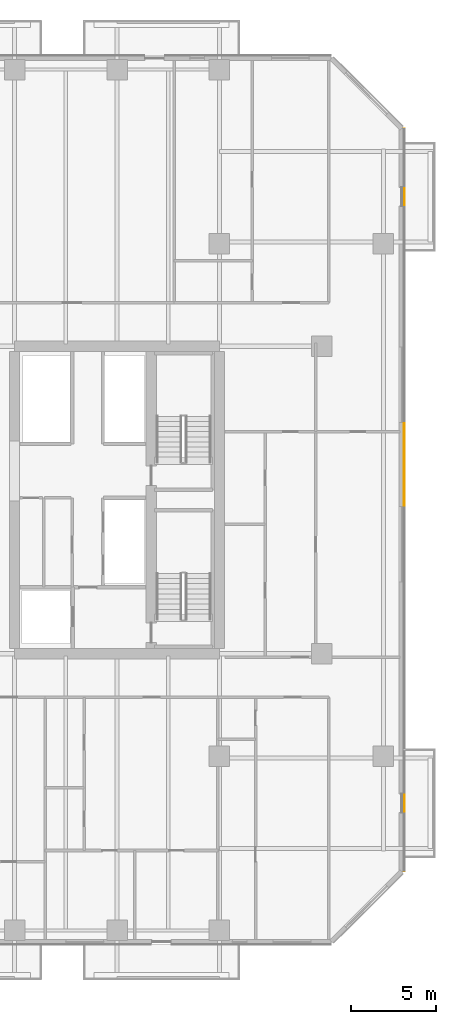
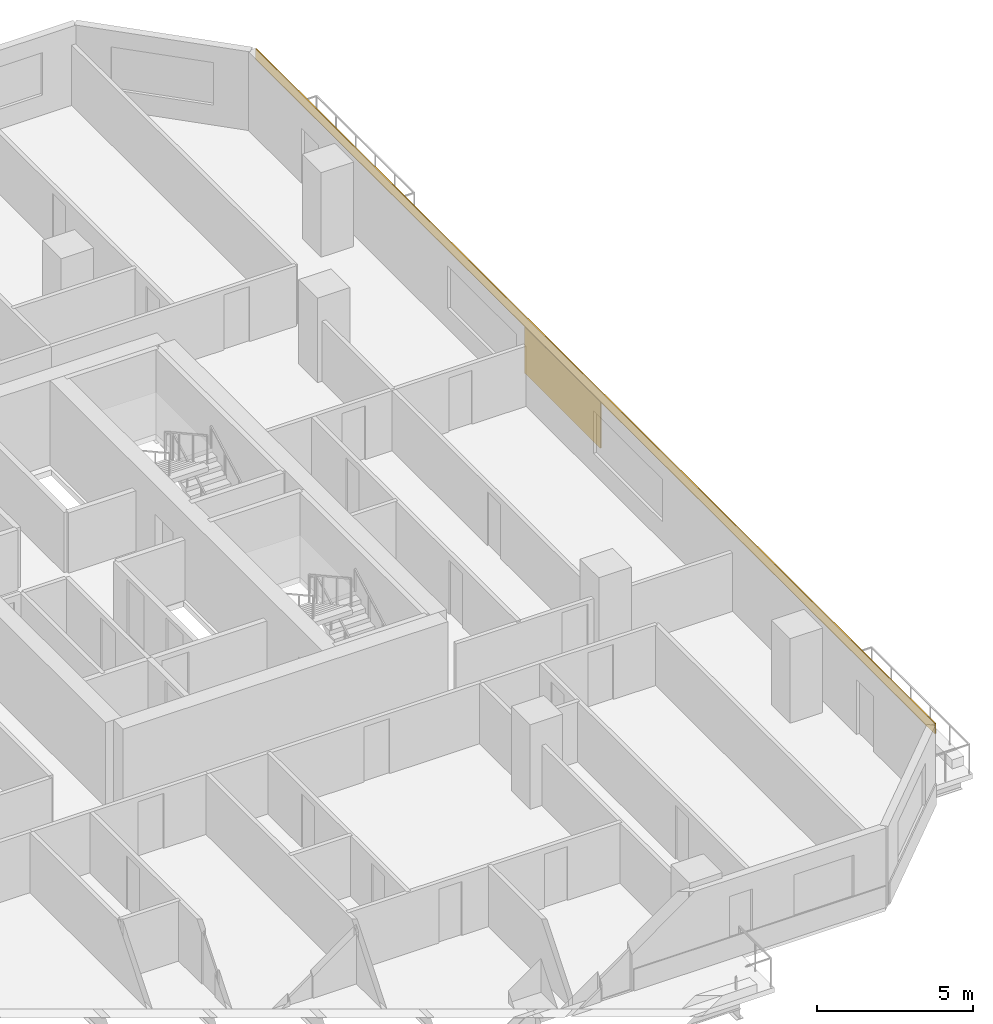
# One storey, part 25 of 26: 2 coverings.
"""IFC4 building model written with IfcOpenShell, lengths in metres."""

from ifc_helpers import new_model, si_unit, direction, frame, origin, origin_2d, place, context, subcontext, project, spatial, rectangle, extrude, material, layer, layer_set, type_object, element, save


model = new_model("IFC4")

# Units and contexts
model_context = context("Model", 3, precision=1e-05, world=origin(), true_north=direction((0.0, 1.0)))
body_context = subcontext(model_context, "Body", "Model", "MODEL_VIEW")
ifc_project = project(units=[si_unit("LENGTHUNIT", "METRE"), si_unit("AREAUNIT", "SQUARE_METRE"), si_unit("VOLUMEUNIT", "CUBIC_METRE"), si_unit("PLANEANGLEUNIT", "RADIAN"), si_unit("MASSUNIT", "GRAM", prefix="KILO")], contexts=[model_context])

# Site, building, storey
site_placement = place(None, origin())
site = spatial("IfcSite", under=ifc_project, at=site_placement, CompositionType="ELEMENT")
building_placement = place(site_placement, origin())
building = spatial("IfcBuilding", under=site, at=building_placement, Name="Tanjung Sevakor Pilgrim Tower", CompositionType="ELEMENT")
storey_placement = place(building_placement, frame((0.0, 0.0, 45.5400390625)))
storey = spatial("IfcBuildingStorey", under=building, at=storey_placement, Name="L12", CompositionType="ELEMENT", Elevation=45.5400390625)

# Coverings
ifc_material = material(Name="Reconstructed Limestone Cladding", Category="masonry")
ifc_layer = layer(ifc_material, 0.044921875)
ifc_layer_set = layer_set([ifc_layer], Name="COV-CLAD-LIMESTONE")
covering_type = type_object("IfcCoveringType", Name="COV-CLAD-LIMESTONE", PredefinedType="CLADDING", material=ifc_layer_set)
covering_1_placement = place(storey_placement, frame((100.822509765625, 33.60009765625, 2.66015625), z_axis=(0.0, 0.0, 1.0), x_axis=(0.0, 1.0, 0.0)))
element("IfcCovering", 1, at=covering_1_placement, inside=storey, type_object=covering_type, Name="L12 Warm Limestone Cornice Spandrel EW-L12-MAIN-7", PredefinedType="CLADDING", context=body_context, shape_type="SweptSolid", body=[
    extrude(rectangle(XDim=43.444091796875, YDim=0.044921875, at=origin_2d()), origin(), (0.0, 0.0, 1.0), 0.409912109375),
])
covering_2_placement = place(storey_placement, frame((100.822509765625, 35.679931640625, 0.849853515625), z_axis=(0.0, 0.0, 1.0), x_axis=(0.0, 1.0, 0.0)))
element("IfcCovering", 2, at=covering_2_placement, inside=storey, type_object=covering_type, Name="L12 Warm Limestone Pier Panel EW-L12-MAIN-7-2", PredefinedType="CLADDING", context=body_context, shape_type="SweptSolid", body=[
    extrude(rectangle(XDim=4.840087890625, YDim=0.044921875, at=origin_2d()), origin(), (0.0, 0.0, 1.0), 1.81005859375),
])

save(model, "model.ifc")
